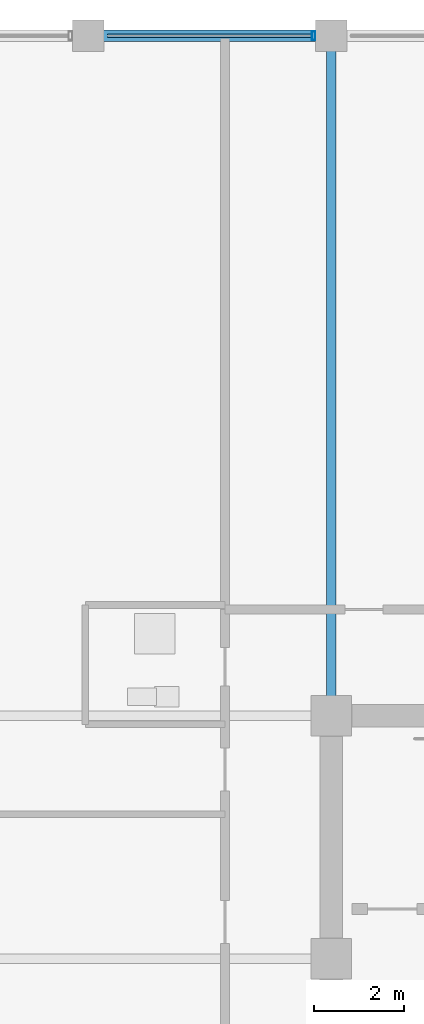
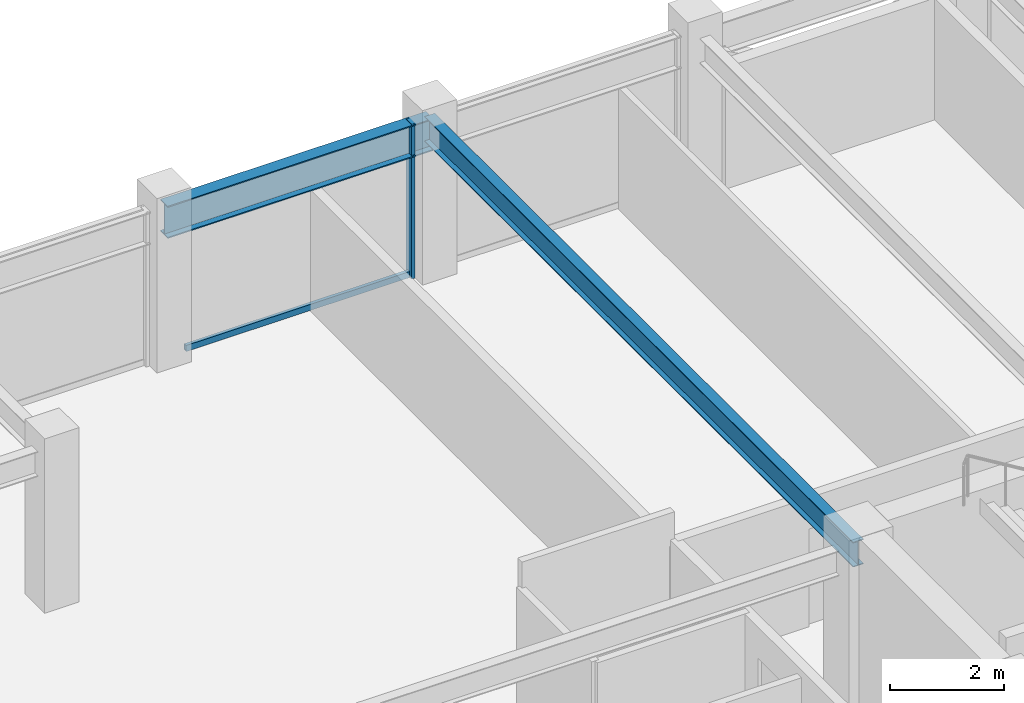
# One storey, part 17 of 31: 2 beams, 2 members, 1 element without a shape of its own.
"""IFC4 building model written with IfcOpenShell, lengths in metres."""

from ifc_helpers import new_model, si_unit, direction, frame, origin, origin_2d, place, context, subcontext, project, spatial, hollow_rectangle, i_section, extrude, material, layer, layer_set, material_profile, profile_set, type_object, element, aggregate, save


model = new_model("IFC4")

# Units and contexts
model_context = context("Model", 3, precision=1e-05, world=origin(), true_north=direction((0.0, 1.0)))
body_context = subcontext(model_context, "Body", "Model", "MODEL_VIEW")
ifc_project = project(units=[si_unit("LENGTHUNIT", "METRE"), si_unit("AREAUNIT", "SQUARE_METRE"), si_unit("VOLUMEUNIT", "CUBIC_METRE"), si_unit("PLANEANGLEUNIT", "RADIAN"), si_unit("MASSUNIT", "GRAM", prefix="KILO")], contexts=[model_context])

# Site, building, storey
site_placement = place(None, origin())
site = spatial("IfcSite", under=ifc_project, at=site_placement, CompositionType="ELEMENT")
building_placement = place(site_placement, origin())
building = spatial("IfcBuilding", under=site, at=building_placement, Name="Surkhivell Harbour Commons", CompositionType="ELEMENT")
storey_placement = place(building_placement, frame((0.0, 0.0, 333.75)))
storey = spatial("IfcBuildingStorey", under=building, at=storey_placement, Name="L87", CompositionType="ELEMENT", Elevation=333.75)

# Beams
ifc_material_1 = material(Name="Steel S355", Category="steel")
ifc_material_profile_1 = material_profile(ifc_material_1, i_section(OverallWidth=0.2099609375, OverallDepth=0.537109375, WebThickness=0.0107421875, FlangeThickness=0.017333984375, at=origin_2d()), Name="UB533x210x101")
ifc_profile_set_1 = profile_set([ifc_material_profile_1], Name="Steel S355")
beam_type_1 = type_object("IfcBeamType", Name="BM-GRD-533B", PredefinedType="BEAM", material=ifc_profile_set_1)
beam_1_placement = place(storey_placement, frame((-10.800048828125, 10.800048828125, 3.0615234375), z_axis=(0.0, 1.0, 0.0), x_axis=(-1.0, 0.0, 0.0)))
element("IfcBeam", 1, at=beam_1_placement, inside=storey, type_object=beam_type_1, Name="L87 Floor Girder (-10.8,10.8)", PredefinedType="BEAM", context=body_context, shape_type="SweptSolid", body=[
    extrude(i_section(OverallWidth=0.2099609375, OverallDepth=0.537109375, WebThickness=0.0107421875, FlangeThickness=0.017333984375, at=origin_2d()), origin(), (0.0, 0.0, 1.0), 15.099853515625),
])
ifc_material_profile_2 = material_profile(ifc_material_1, i_section(OverallWidth=0.256103515625, OverallDepth=0.693115234375, WebThickness=0.014404296875, FlangeThickness=0.023681640625, at=origin_2d()), Name="UB686x254x170")
ifc_profile_set_2 = profile_set([ifc_material_profile_2], Name="Steel S355")
beam_type_2 = type_object("IfcBeamType", Name="BM-SPN-686", PredefinedType="SPANDREL", material=ifc_profile_set_2)
beam_2_placement = place(storey_placement, frame((-16.199951171875, 25.89990234375, 2.9833984375), z_axis=(1.0, 0.0, 0.0), x_axis=(0.0, 1.0, 0.0)))
element("IfcBeam", 2, at=beam_2_placement, inside=storey, type_object=beam_type_2, Name="L87 Tube Spandrel (-16.2,25.9)", PredefinedType="SPANDREL", context=body_context, shape_type="SweptSolid", body=[
    extrude(i_section(OverallWidth=0.256103515625, OverallDepth=0.693115234375, WebThickness=0.014404296875, FlangeThickness=0.023681640625, at=origin_2d()), origin(), (0.0, 0.0, 1.0), 5.39990234375),
])

# Curtain wall, members
ifc_material_2 = material(Name="Anodised pale-metal aluminium and insulated glazing", Category="aluminium")
ifc_layer = layer(ifc_material_2, 0.175048828125)
ifc_layer_set = layer_set([ifc_layer], Name="Anodised pale-metal aluminium and insulated glazing")
curtain_wall_type = type_object("IfcCurtainWallType", Name="CW-SYS-Z4", PredefinedType="NOTDEFINED", material=ifc_layer_set)
curtain_wall_placement = place(storey_placement, origin())
curtain_wall = element("IfcCurtainWall", 3, at=curtain_wall_placement, inside=storey, type_object=curtain_wall_type, Name="L87 Curtain Wall CW-L87-E07S2", PredefinedType="NOTDEFINED")
ifc_material_3 = material(Name="Anodised pale-metal aluminium alloy 6063-T6", Category="aluminium")
ifc_material_profile_3 = material_profile(ifc_material_3, hollow_rectangle(XDim=0.074951171875, YDim=0.18994140625, WallThickness=0.00390625, at=origin_2d()), Name="ALU-MULL-75x190")
ifc_profile_set_3 = profile_set([ifc_material_profile_3], Name="Anodised pale-metal aluminium alloy 6063-T6")
member_type_1 = type_object("IfcMemberType", Name="CWM-190", PredefinedType="MULLION", material=ifc_profile_set_3)
member_1_placement = place(storey_placement, frame((-11.189453125, 25.89990234375, 0.0), z_axis=(0.0, 0.0, 1.0), x_axis=(-1.0, 0.0, 0.0)))
member_1 = element("IfcMember", 4, at=member_1_placement, type_object=member_type_1, Name="CW-Z4 mullion 2", PredefinedType="MULLION", context=body_context, shape_type="SweptSolid", body=[
    extrude(hollow_rectangle(XDim=0.074951171875, YDim=0.18994140625, WallThickness=0.00390625, at=origin_2d()), origin(), (0.0, 0.0, 1.0), 3.330078125),
])
ifc_material_4 = material(Name="Champagne anodised aluminium alloy 6063-T6", Category="aluminium")
ifc_material_profile_4 = material_profile(ifc_material_4, hollow_rectangle(XDim=0.070068359375, YDim=0.1298828125, WallThickness=0.00341796875, at=origin_2d()), Name="ALU-TRAN-70x130")
ifc_profile_set_4 = profile_set([ifc_material_profile_4], Name="Champagne anodised aluminium alloy 6063-T6")
member_type_2 = type_object("IfcMemberType", Name="CWT-130", PredefinedType="USERDEFINED", material=ifc_profile_set_4)
member_2_placement = place(storey_placement, frame((-11.22705078125, 25.89990234375, 0.06494140625), z_axis=(-1.0, 0.0, 0.0), x_axis=(0.0, -1.0, 0.0)))
member_2 = element("IfcMember", 5, at=member_2_placement, type_object=member_type_2, Name="CW-Z4 transom 2.1", ObjectType="TRANSOM", PredefinedType="USERDEFINED", context=body_context, shape_type="SweptSolid", body=[
    extrude(hollow_rectangle(XDim=0.070068359375, YDim=0.1298828125, WallThickness=0.00341796875, at=origin_2d()), origin(), (0.0, 0.0, 1.0), 4.5458984375),
])
aggregate(curtain_wall, [member_1, member_2])

save(model, "model.ifc")
